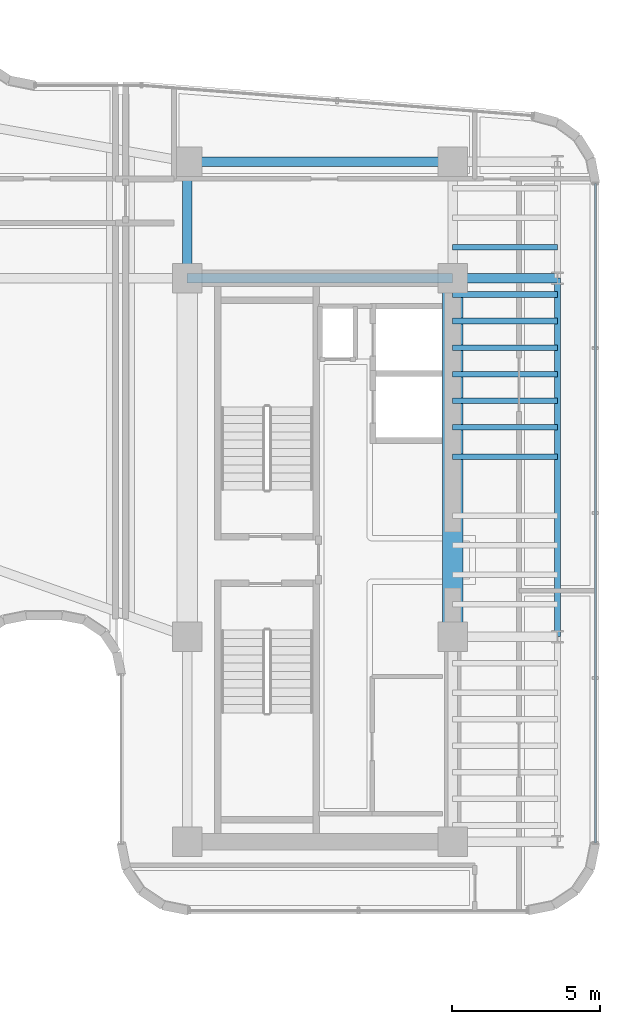
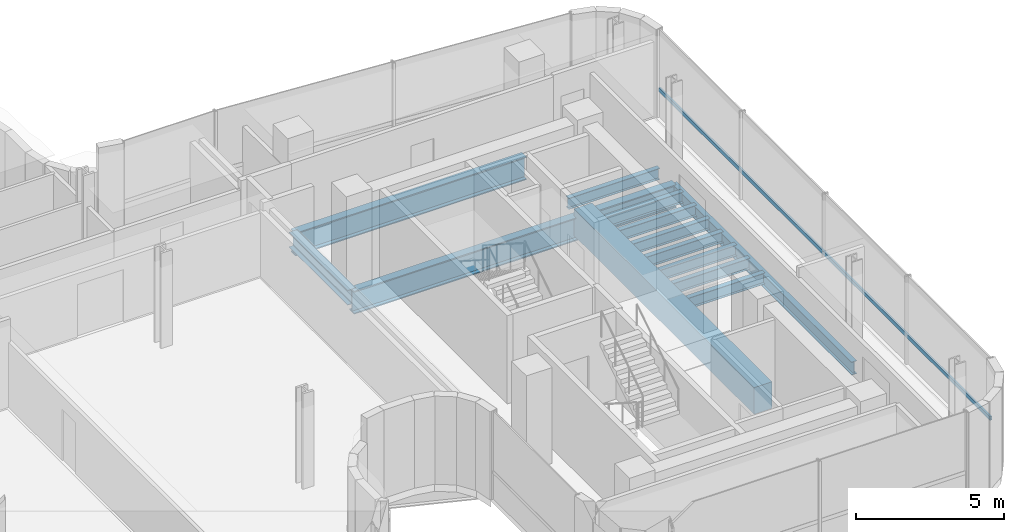
# One storey, part 15 of 38: 14 beams, 1 member, 1 element without a shape of its own.
"""IFC4 building model written with IfcOpenShell, lengths in metres."""

from ifc_helpers import new_model, si_unit, direction, frame, origin, origin_2d, place, context, subcontext, project, spatial, rectangle, hollow_rectangle, i_section, extrude, source, transform, mapped, material, material_profile, profile_set, type_object, element, aggregate, save


model = new_model("IFC4")

# Units and contexts
model_context = context("Model", 3, precision=1e-05, world=origin(), true_north=direction((0.0, 1.0)))
body_context = subcontext(model_context, "Body", "Model", "MODEL_VIEW")
ifc_project = project(units=[si_unit("LENGTHUNIT", "METRE"), si_unit("AREAUNIT", "SQUARE_METRE"), si_unit("VOLUMEUNIT", "CUBIC_METRE"), si_unit("PLANEANGLEUNIT", "RADIAN"), si_unit("MASSUNIT", "GRAM", prefix="KILO")], contexts=[model_context])

# Site, building, storey
site_placement = place(None, origin())
site = spatial("IfcSite", under=ifc_project, at=site_placement, CompositionType="ELEMENT")
building_placement = place(site_placement, origin())
building = spatial("IfcBuilding", under=site, at=building_placement, Name="Valdorenza Pilgrim Sanctuary Tower", CompositionType="ELEMENT")
storey_placement = place(building_placement, frame((0.0, 0.0, 180.5)))
storey = spatial("IfcBuildingStorey", under=building, at=storey_placement, Name="L46", CompositionType="ELEMENT", Elevation=180.5)

# Beams
ifc_material_1 = material(Name="Concrete C50/60", Category="concrete")
ifc_material_profile_1 = material_profile(ifc_material_1, rectangle(XDim=0.699951171875, YDim=1.10009765625, at=origin_2d()), Name="RC 1100x700")
ifc_profile_set_1 = profile_set([ifc_material_profile_1], Name="Concrete C50/60")
beam_type_1 = type_object("IfcBeamType", Name="STR-BM-LNT-1100", PredefinedType="LINTEL", material=ifc_profile_set_1)
shared_shape_1 = source(origin(), body_context, "Body", "SweptSolid", [
    extrude(rectangle(XDim=0.699951171875, YDim=1.10009765625, at=origin_2d()), origin(), (0.0, 0.0, 1.0), 12.150146484375),
])
beam_1_placement = place(storey_placement, frame((24.85009765625, -2.60009765625, -0.590087890625), z_axis=(0.0, 1.0, 0.0), x_axis=(-1.0, 0.0, 0.0)))
element("IfcBeam", 1, at=beam_1_placement, inside=storey, type_object=beam_type_1, Name="L46 Core B East Coupling Lintel Girder", PredefinedType="LINTEL", context=body_context, shape_type="MappedRepresentation", body=[
    mapped(shared_shape_1, transform((0.0, 0.0, 0.0), x_axis=(1.0, 0.0, 0.0), y_axis=(0.0, 1.0, 0.0), z_axis=(0.0, 0.0, 1.0), scale=1.0)),
])
ifc_material_2 = material(Name="Steel ASTM A992 Grade 50", Category="steel")
ifc_material_profile_2 = material_profile(ifc_material_2, i_section(OverallWidth=0.323974609375, OverallDepth=0.611083984375, WebThickness=0.0126953125, FlangeThickness=0.01904296875, at=origin_2d()), Name="W24X104")
ifc_profile_set_2 = profile_set([ifc_material_profile_2], Name="Steel ASTM A992 Grade 50")
beam_type_2 = type_object("IfcBeamType", Name="STR-BM-GRD-W24B", PredefinedType="BEAM", material=ifc_profile_set_2)
shared_shape_2 = source(origin(), body_context, "Body", "SweptSolid", [
    extrude(i_section(OverallWidth=0.323974609375, OverallDepth=0.611083984375, WebThickness=0.0126953125, FlangeThickness=0.01904296875, at=origin_2d()), origin(), (0.0, 0.0, 1.0), 3.949951171875),
])
beam_2_placement = place(storey_placement, frame((15.85009765625, 9.550048828125, -0.62548828125), z_axis=(0.0, 1.0, 0.0), x_axis=(-1.0, 0.0, 0.0)))
element("IfcBeam", 2, at=beam_2_placement, inside=storey, type_object=beam_type_2, Name="L46 Core Tie Girder CB-W-N1N2", PredefinedType="BEAM", context=body_context, shape_type="MappedRepresentation", body=[
    mapped(shared_shape_2, transform((0.0, 0.0, 0.0), x_axis=(1.0, 0.0, 0.0), y_axis=(0.0, 1.0, 0.0), z_axis=(0.0, 0.0, 1.0), scale=1.0)),
])
ifc_material_profile_3 = material_profile(ifc_material_2, i_section(OverallWidth=0.19091796875, OverallDepth=0.45703125, WebThickness=0.009033203125, FlangeThickness=0.014404296875, at=origin_2d()), Name="W18X50")
ifc_profile_set_3 = profile_set([ifc_material_profile_3], Name="Steel ASTM A992 Grade 50")
beam_type_3 = type_object("IfcBeamType", Name="STR-BM-JST-W18B", PredefinedType="JOIST", material=ifc_profile_set_3)
shared_shape_3 = source(origin(), body_context, "Body", "SweptSolid", [
    extrude(i_section(OverallWidth=0.19091796875, OverallDepth=0.45703125, WebThickness=0.009033203125, FlangeThickness=0.014404296875, at=origin_2d()), origin(), (0.0, 0.0, 1.0), 3.5498046875),
])
for number, where, z_axis, x_axis, name in (
    (3, (24.85009765625, 3.5, -0.548583984375), (1.0, 0.0, 0.0), (0.0, 1.0, 0.0), "L46 Composite Floor Joist JST-WB-12"),
    (4, (24.85009765625, 4.5, -0.548583984375), (1.0, 0.0, 0.0), (0.0, 1.0, 0.0), "L46 Composite Floor Joist JST-WB-13"),
    (5, (24.85009765625, 5.39990234375, -0.548583984375), (1.0, 0.0, 0.0), (0.0, 1.0, 0.0), "L46 Composite Floor Joist JST-WB-14"),
    (6, (24.85009765625, 6.300048828125, -0.548583984375), (1.0, 0.0, 0.0), (0.0, 1.0, 0.0), "L46 Composite Floor Joist JST-WB-15"),
    (7, (24.85009765625, 7.199951171875, -0.548583984375), (1.0, 0.0, 0.0), (0.0, 1.0, 0.0), "L46 Composite Floor Joist JST-WB-16"),
    (8, (24.85009765625, 8.10009765625, -0.548583984375), (1.0, 0.0, 0.0), (0.0, 1.0, 0.0), "L46 Composite Floor Joist JST-WB-17"),
    (9, (24.85009765625, 9.0, -0.548583984375), (1.0, 0.0, 0.0), (0.0, 1.0, 0.0), "L46 Composite Floor Joist JST-WB-18"),
    (10, (24.85009765625, 10.60009765625, -0.548583984375), (1.0, 0.0, 0.0), (0.0, 1.0, 0.0), "L46 Composite Floor Joist JST-WB-19"),
):
    element("IfcBeam", number, at=place(storey_placement, frame(where, z_axis=z_axis, x_axis=x_axis)), inside=storey, type_object=beam_type_3, Name=name, PredefinedType="JOIST", context=body_context, shape_type="MappedRepresentation", body=[
        mapped(shared_shape_3, transform((0.0, 0.0, 0.0), x_axis=(1.0, 0.0, 0.0), y_axis=(0.0, 1.0, 0.0), z_axis=(0.0, 0.0, 1.0), scale=1.0)),
    ])
ifc_material_profile_4 = material_profile(ifc_material_2, i_section(OverallWidth=0.2109375, OverallDepth=0.5390625, WebThickness=0.01171875, FlangeThickness=0.018798828125, at=origin_2d()), Name="W21X73")
ifc_profile_set_4 = profile_set([ifc_material_profile_4], Name="Steel ASTM A992 Grade 50")
beam_type_4 = type_object("IfcBeamType", Name="STR-BM-SPN-W21B", PredefinedType="SPANDREL", material=ifc_profile_set_4)
shared_shape_4 = source(origin(), body_context, "Body", "SweptSolid", [
    extrude(i_section(OverallWidth=0.2109375, OverallDepth=0.5390625, WebThickness=0.01171875, FlangeThickness=0.018798828125, at=origin_2d()), origin(), (0.0, 0.0, 1.0), 12.150146484375),
])
beam_3_placement = place(storey_placement, frame((28.39990234375, -2.60009765625, -0.589599609375), z_axis=(0.0, 1.0, 0.0), x_axis=(-1.0, 0.0, 0.0)))
element("IfcBeam", 11, at=beam_3_placement, inside=storey, type_object=beam_type_4, Name="L46 Spandrel Beam WB-E-M0N1", PredefinedType="SPANDREL", context=body_context, shape_type="MappedRepresentation", body=[
    mapped(shared_shape_4, transform((0.0, 0.0, 0.0), x_axis=(1.0, 0.0, 0.0), y_axis=(0.0, 1.0, 0.0), z_axis=(0.0, 0.0, 1.0), scale=1.0)),
])
ifc_material_profile_5 = material_profile(ifc_material_2, i_section(OverallWidth=0.31005859375, OverallDepth=0.949951171875, WebThickness=0.0244140625, FlangeThickness=0.0439453125, at=origin_2d()), Name="W36X256")
ifc_profile_set_5 = profile_set([ifc_material_profile_5], Name="Steel ASTM A992 Grade 50")
beam_type_5 = type_object("IfcBeamType", Name="STR-BM-GRD-W36B", PredefinedType="BEAM", material=ifc_profile_set_5)
shared_shape_5 = source(origin(), body_context, "Body", "SweptSolid", [
    extrude(i_section(OverallWidth=0.31005859375, OverallDepth=0.949951171875, WebThickness=0.0244140625, FlangeThickness=0.0439453125, at=origin_2d()), origin(), (0.0, 0.0, 1.0), 9.0),
])
for number, where, z_axis, x_axis, name in (
    (12, (15.85009765625, 9.550048828125, -0.794921875), (1.0, 0.0, 0.0), (0.0, 1.0, 0.0), "L46 Floor Girder CB-XC-N1"),
    (13, (15.85009765625, 13.5, -0.794921875), (1.0, 0.0, 0.0), (0.0, 1.0, 0.0), "L46 Floor Girder CB-XC-N2"),
):
    element("IfcBeam", number, at=place(storey_placement, frame(where, z_axis=z_axis, x_axis=x_axis)), inside=storey, type_object=beam_type_5, Name=name, PredefinedType="BEAM", context=body_context, shape_type="MappedRepresentation", body=[
        mapped(shared_shape_5, transform((0.0, 0.0, 0.0), x_axis=(1.0, 0.0, 0.0), y_axis=(0.0, 1.0, 0.0), z_axis=(0.0, 0.0, 1.0), scale=1.0)),
    ])
shared_shape_6 = source(origin(), body_context, "Body", "SweptSolid", [
    extrude(i_section(OverallWidth=0.31005859375, OverallDepth=0.949951171875, WebThickness=0.0244140625, FlangeThickness=0.0439453125, at=origin_2d()), origin(), (0.0, 0.0, 1.0), 3.5498046875),
])
beam_4_placement = place(storey_placement, frame((24.85009765625, 9.550048828125, -0.794921875), z_axis=(1.0, 0.0, 0.0), x_axis=(0.0, 1.0, 0.0)))
element("IfcBeam", 14, at=beam_4_placement, inside=storey, type_object=beam_type_5, Name="L46 Floor Girder WB-XE-N1", PredefinedType="BEAM", context=body_context, shape_type="MappedRepresentation", body=[
    mapped(shared_shape_6, transform((0.0, 0.0, 0.0), x_axis=(1.0, 0.0, 0.0), y_axis=(0.0, 1.0, 0.0), z_axis=(0.0, 0.0, 1.0), scale=1.0)),
])

# Curtain wall, member
ifc_material_3 = material(Name="Curtain-wall IGU glazing", Category="glass")
curtain_wall_type = type_object("IfcCurtainWallType", Name="CW-SYS-03", PredefinedType="NOTDEFINED", material=ifc_material_3)
curtain_wall_placement = place(storey_placement, origin())
curtain_wall = element("IfcCurtainWall", 15, at=curtain_wall_placement, inside=storey, type_object=curtain_wall_type, Name="L46 Curtain Wall CW-L46-1-37", PredefinedType="NOTDEFINED")
ifc_material_4 = material(Name="Anodised aluminium AW-6060", Category="aluminium")
ifc_material_profile_6 = material_profile(ifc_material_4, hollow_rectangle(XDim=0.074951171875, YDim=0.159912109375, WallThickness=0.00390625, at=origin_2d()), Name="ALU-T 160x75x4")
ifc_profile_set_6 = profile_set([ifc_material_profile_6], Name="Anodised aluminium AW-6060")
member_type = type_object("IfcMemberType", Name="CW-TRN-03", PredefinedType="USERDEFINED", material=ifc_profile_set_6)
shared_shape_7 = source(origin(), body_context, "Body", "SweptSolid", [
    extrude(hollow_rectangle(XDim=0.074951171875, YDim=0.159912109375, WallThickness=0.00390625, at=origin_2d()), origin(), (0.0, 0.0, 1.0), 22.357421875),
])
member_placement = place(storey_placement, frame((29.68994140625, 12.768310546875, 1.1201171875), z_axis=(0.0, -1.0, 0.0), x_axis=(1.0, 0.0, 0.0)))
member = element("IfcMember", 16, at=member_placement, type_object=member_type, Name="CW-L46-1-37 Transom 1", ObjectType="TRANSOM", PredefinedType="USERDEFINED", context=body_context, shape_type="MappedRepresentation", body=[
    mapped(shared_shape_7, transform((0.0, 0.0, 0.0), x_axis=(1.0, 0.0, 0.0), y_axis=(0.0, 1.0, 0.0), z_axis=(0.0, 0.0, 1.0), scale=1.0)),
])
aggregate(curtain_wall, [member])

save(model, "model.ifc")
